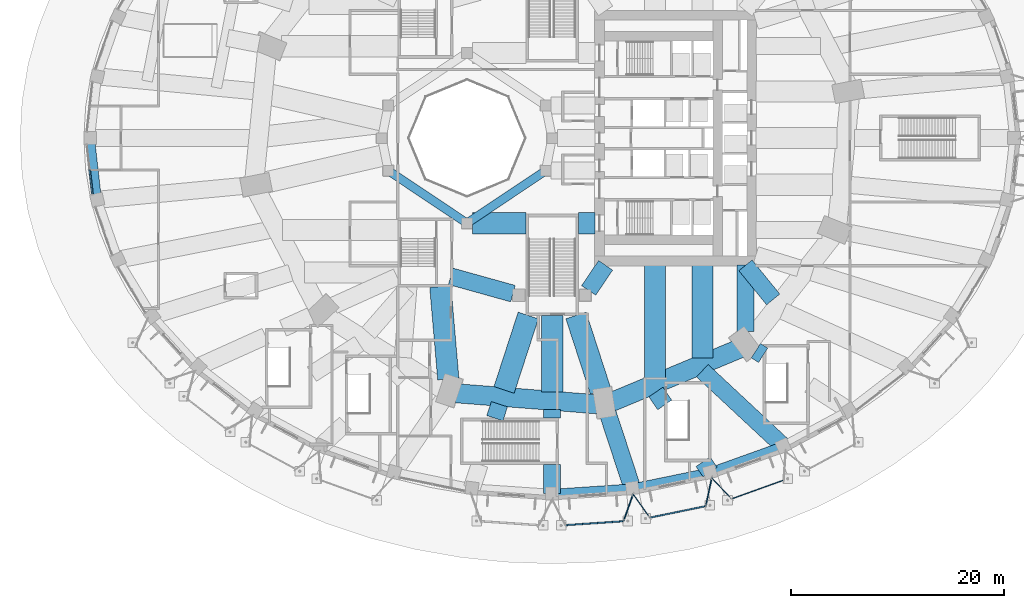
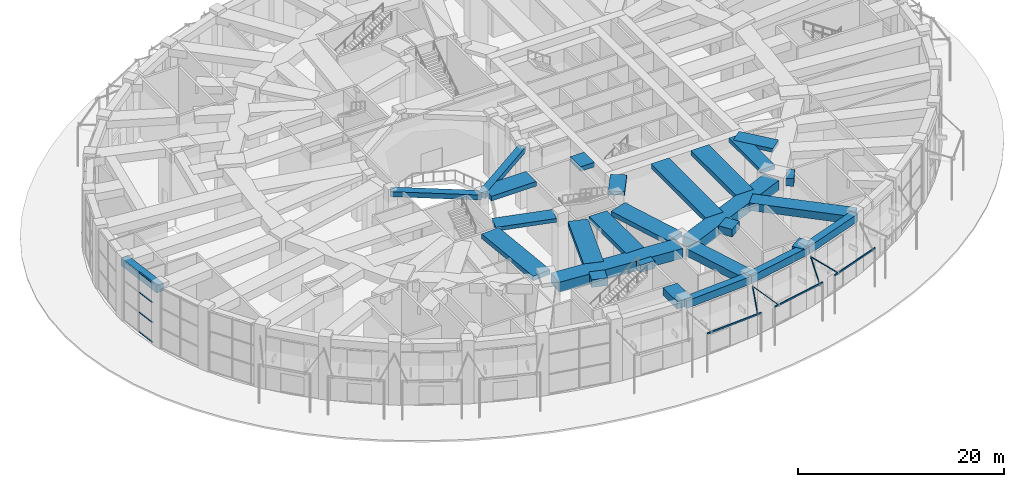
# One storey, part 24 of 60: 31 beams, 8 members, 1 element without a shape of its own.
"""IFC4 building model written with IfcOpenShell, lengths in metres."""

from ifc_helpers import new_model, si_unit, direction, frame, origin, origin_2d, place, context, subcontext, project, spatial, rectangle, hollow_rectangle, hollow_circle, extrude, material, material_profile, profile_set, type_object, element, aggregate, save


model = new_model("IFC4")

# Units and contexts
model_context = context("Model", 3, precision=1e-05, world=origin(), true_north=direction((0.0, 1.0)))
body_context = subcontext(model_context, "Body", "Model", "MODEL_VIEW")
ifc_project = project(units=[si_unit("LENGTHUNIT", "METRE"), si_unit("AREAUNIT", "SQUARE_METRE"), si_unit("VOLUMEUNIT", "CUBIC_METRE"), si_unit("PLANEANGLEUNIT", "RADIAN"), si_unit("MASSUNIT", "GRAM", prefix="KILO")], contexts=[model_context])

# Site, building, storey
site_placement = place(None, origin())
site = spatial("IfcSite", under=ifc_project, at=site_placement, CompositionType="ELEMENT")
building_placement = place(site_placement, origin())
building = spatial("IfcBuilding", under=site, at=building_placement, Name="Taillehof Tower", CompositionType="ELEMENT")
storey_placement = place(building_placement, origin())
storey = spatial("IfcBuildingStorey", under=building, at=storey_placement, Name="L00", CompositionType="ELEMENT", Elevation=0.0)

# Beams
ifc_material_1 = material(Name="Concrete C50/60", Category="concrete")
ifc_material_profile_1 = material_profile(ifc_material_1, rectangle(XDim=0.800048828125, YDim=0.60009765625, at=origin_2d()), Name="RC 800x600")
ifc_profile_set_1 = profile_set([ifc_material_profile_1], Name="Concrete C50/60")
beam_type_1 = type_object("IfcBeamType", Name="Atrium ring beam C50/60 800x600", PredefinedType="BEAM", material=ifc_profile_set_1)
for number, where, z_axis, x_axis, name in (
    (1, (-15.39111328125, -3.0615234375, 6.7900390625), (0.831475195687, -0.555561876804, 0.0), (0.555561876804, 0.831475195687, 0.0), "Atrium ring beam AB06"),
    (2, (-8.0, -8.0, 6.7900390625), (0.831475195687, 0.555561876804, 0.0), (-0.555561876804, 0.831475195687, 0.0), "Atrium ring beam AB07"),
):
    element("IfcBeam", number, at=place(storey_placement, frame(where, z_axis=z_axis, x_axis=x_axis)), inside=storey, type_object=beam_type_1, Name=name, PredefinedType="BEAM", context=body_context, shape_type="SweptSolid", body=[
        extrude(rectangle(XDim=0.800048828125, YDim=0.60009765625, at=origin_2d()), origin(), (0.0, 0.0, 1.0), 8.88916015625),
    ])
ifc_material_2 = material(Name="Steel S460M", Category="steel")
ifc_material_profile_2 = material_profile(ifc_material_2, hollow_rectangle(XDim=0.10009765625, YDim=0.199951171875, WallThickness=0.008056640625, InnerFilletRadius=0.008056640625, OuterFilletRadius=0.011962890625, at=origin_2d()), Name="RHS 200x100x8")
ifc_profile_set_2 = profile_set([ifc_material_profile_2], Name="Steel S460M")
beam_type_2 = type_object("IfcBeamType", Name="Canopy edge beam RHS 200x100x8", PredefinedType="BEAM", material=ifc_profile_set_2)
beam_1_placement = place(storey_placement, frame((0.827880859375, -36.40087890625, 4.550048828125), z_axis=(0.997740558403, 0.067184656867, 0.0), x_axis=(-0.067184656867, 0.997740558403, 0.0)))
element("IfcBeam", 3, at=beam_1_placement, inside=storey, type_object=beam_type_2, Name="Canopy edge beam E6", PredefinedType="BEAM", context=body_context, shape_type="SweptSolid", body=[
    extrude(hollow_rectangle(XDim=0.10009765625, YDim=0.199951171875, WallThickness=0.008056640625, InnerFilletRadius=0.008056640625, OuterFilletRadius=0.011962890625, at=origin_2d()), origin(), (0.0, 0.0, 1.0), 6.3046875),
])
beam_2_placement = place(storey_placement, frame((8.763671875, -35.75341796875, 4.550048828125), z_axis=(0.979385767949, 0.201998805786, 0.0), x_axis=(-0.201998805786, 0.979385767949, 0.0)))
element("IfcBeam", 4, at=beam_2_placement, inside=storey, type_object=beam_type_2, Name="Canopy edge beam E7", PredefinedType="BEAM", context=body_context, shape_type="SweptSolid", body=[
    extrude(hollow_rectangle(XDim=0.10009765625, YDim=0.199951171875, WallThickness=0.008056640625, InnerFilletRadius=0.008056640625, OuterFilletRadius=0.011962890625, at=origin_2d()), origin(), (0.0, 0.0, 1.0), 6.213623046875),
])
beam_3_placement = place(storey_placement, frame((16.46044921875, -34.04541015625, 4.550048828125), z_axis=(0.941224990618, 0.33778027923, 0.0), x_axis=(-0.33778027923, 0.941224990618, 0.0)))
element("IfcBeam", 5, at=beam_3_placement, inside=storey, type_object=beam_type_2, Name="Canopy edge beam E8", PredefinedType="BEAM", context=body_context, shape_type="SweptSolid", body=[
    extrude(hollow_rectangle(XDim=0.10009765625, YDim=0.199951171875, WallThickness=0.008056640625, InnerFilletRadius=0.008056640625, OuterFilletRadius=0.011962890625, at=origin_2d()), origin(), (0.0, 0.0, 1.0), 6.03955078125),
])

# Members
ifc_material_3 = material(Name="Steel S460M", Category="steel")
ifc_material_profile_3 = material_profile(ifc_material_3, hollow_circle(Radius=0.04443359375, WallThickness=0.0048828125, at=origin_2d()), Name="CHS 89x5")
ifc_profile_set_3 = profile_set([ifc_material_profile_3], Name="Steel S460M")
member_type_1 = type_object("IfcMemberType", Name="Canopy tie CHS 89x5", PredefinedType="BRACE", material=ifc_profile_set_3)
for number, where, z_axis, x_axis, name in (
    (6, (6.699462890625, -36.00537109375, 4.639892578125), (0.30166245095, 0.841076499631, 0.448987847781), (-0.941288035455, 0.337604553153, 0.0), "Canopy tie E6"),
    (7, (9.175048828125, -35.66845703125, 4.639892578125), (-0.515537199417, 0.729827243696, 0.448969475997), (-0.816775353421, -0.576955823303, 0.0), "Canopy tie E7"),
):
    element("IfcMember", number, at=place(storey_placement, frame(where, z_axis=z_axis, x_axis=x_axis)), inside=storey, type_object=member_type_1, Name=name, PredefinedType="BRACE", context=body_context, shape_type="SweptSolid", body=[
        extrude(hollow_circle(Radius=0.04443359375, WallThickness=0.0048828125, at=origin_2d()), origin(), (0.0, 0.0, 1.0), 3.029296875),
    ])
member_1_placement = place(storey_placement, frame((14.43798828125, -34.5830078125, 4.639892578125), z_axis=(0.18485622128, 0.874239383027, 0.44892502561), x_axis=(-0.978367607855, 0.206873932383, 0.0)))
element("IfcMember", 8, at=member_1_placement, inside=storey, type_object=member_type_1, Name="Canopy tie E7", PredefinedType="BRACE", context=body_context, shape_type="SweptSolid", body=[
    extrude(hollow_circle(Radius=0.04443359375, WallThickness=0.0048828125, at=origin_2d()), origin(), (0.0, 0.0, 1.0), 3.02978515625),
])
member_2_placement = place(storey_placement, frame((16.855712890625, -33.903564453125, 4.639892578125), z_axis=(-0.61316407558, 0.64999098878, 0.448933771199), x_axis=(-0.727413186974, -0.686199719773, 0.0)))
element("IfcMember", 9, at=member_2_placement, inside=storey, type_object=member_type_1, Name="Canopy tie E8", PredefinedType="BRACE", context=body_context, shape_type="SweptSolid", body=[
    extrude(hollow_circle(Radius=0.04443359375, WallThickness=0.0048828125, at=origin_2d()), origin(), (0.0, 0.0, 1.0), 3.029541015625),
])

# Beams
ifc_material_4 = material(Name="Concrete C50/60", Category="concrete")
ifc_material_profile_4 = material_profile(ifc_material_4, rectangle(XDim=0.800048828125, YDim=0.89990234375, at=origin_2d()), Name="RC 800x900")
ifc_profile_set_4 = profile_set([ifc_material_profile_4], Name="Concrete C50/60")
beam_type_3 = type_object("IfcBeamType", Name="Podium edge beam C50/60 800x900", PredefinedType="BEAM", material=ifc_profile_set_4)
beam_4_placement = place(storey_placement, frame((-43.39990234375, 0.0, 6.639892578125), z_axis=(0.112928457179, -0.993603121754, 0.0), x_axis=(0.993603121754, 0.112928457179, 0.0)))
element("IfcBeam", 10, at=beam_4_placement, inside=storey, type_object=beam_type_3, Name="Podium edge beam PB19", PredefinedType="BEAM", context=body_context, shape_type="SweptSolid", body=[
    extrude(rectangle(XDim=0.800048828125, YDim=0.89990234375, at=origin_2d()), origin(), (0.0, 0.0, 1.0), 5.837158203125),
])
beam_5_placement = place(storey_placement, frame((0.0, -33.39990234375, 6.639892578125), z_axis=(0.997741900844, 0.067164717676, 0.0), x_axis=(-0.067164717676, 0.997741900844, 0.0)))
element("IfcBeam", 11, at=beam_5_placement, inside=storey, type_object=beam_type_3, Name="Podium edge beam PB28", PredefinedType="BEAM", context=body_context, shape_type="SweptSolid", body=[
    extrude(rectangle(XDim=0.800048828125, YDim=0.89990234375, at=origin_2d()), origin(), (0.0, 0.0, 1.0), 7.553466796875),
])
beam_6_placement = place(storey_placement, frame((7.536376953125, -32.892578125, 6.639892578125), z_axis=(0.979394077534, 0.201958512797, 0.0), x_axis=(-0.201958512797, 0.979394077534, 0.0)))
element("IfcBeam", 12, at=beam_6_placement, inside=storey, type_object=beam_type_3, Name="Podium edge beam PB29", PredefinedType="BEAM", context=body_context, shape_type="SweptSolid", body=[
    extrude(rectangle(XDim=0.800048828125, YDim=0.89990234375, at=origin_2d()), origin(), (0.0, 0.0, 1.0), 7.461181640625),
])
beam_7_placement = place(storey_placement, frame((14.84375, -31.3857421875, 6.639892578125), z_axis=(0.941227460002, 0.337773398209, 0.0), x_axis=(-0.337773398209, 0.941227460002, 0.0)))
element("IfcBeam", 13, at=beam_7_placement, inside=storey, type_object=beam_type_3, Name="Podium edge beam PB30", PredefinedType="BEAM", context=body_context, shape_type="SweptSolid", body=[
    extrude(rectangle(XDim=0.800048828125, YDim=0.89990234375, at=origin_2d()), origin(), (0.0, 0.0, 1.0), 7.284423828125),
])
ifc_material_5 = material(Name="Concrete C50/60", Category="concrete")
ifc_material_profile_5 = material_profile(ifc_material_5, rectangle(XDim=1.60009765625, YDim=0.89990234375, at=origin_2d()), Name="RC 1600x900")
ifc_profile_set_5 = profile_set([ifc_material_profile_5], Name="Concrete C50/60")
beam_type_4 = type_object("IfcBeamType", Name="Podium radial beam C50/60 1600x900", PredefinedType="BEAM", material=ifc_profile_set_5)
beam_8_placement = place(storey_placement, frame((-5.383544921875, -26.324951171875, 6.639892578125), z_axis=(0.311376491629, 0.950286630686, 0.0), x_axis=(-0.950286630686, 0.311376491629, 0.0)))
element("IfcBeam", 14, at=beam_8_placement, inside=storey, type_object=beam_type_4, Name="Podium radial beam PR27", PredefinedType="BEAM", context=body_context, shape_type="SweptSolid", body=[
    extrude(rectangle(XDim=1.60009765625, YDim=0.89990234375, at=origin_2d()), origin(), (0.0, 0.0, 1.0), 1.39013671875),
])
beam_9_placement = place(storey_placement, frame((0.0, -33.39990234375, 6.639892578125), z_axis=(0.0, 1.0, 0.0), x_axis=(-1.0, 0.0, 0.0)))
element("IfcBeam", 15, at=beam_9_placement, inside=storey, type_object=beam_type_4, Name="Podium radial beam PR28", PredefinedType="BEAM", context=body_context, shape_type="SweptSolid", body=[
    extrude(rectangle(XDim=1.60009765625, YDim=0.89990234375, at=origin_2d()), origin(), (0.0, 0.0, 1.0), 2.724853515625),
])
beam_10_placement = place(storey_placement, frame((0.0, -26.324951171875, 6.639892578125), z_axis=(0.0, 1.0, 0.0), x_axis=(-1.0, 0.0, 0.0)))
element("IfcBeam", 16, at=beam_10_placement, inside=storey, type_object=beam_type_4, Name="Podium radial beam PR28", PredefinedType="BEAM", context=body_context, shape_type="SweptSolid", body=[
    extrude(rectangle(XDim=1.60009765625, YDim=0.89990234375, at=origin_2d()), origin(), (0.0, 0.0, 1.0), 0.80322265625),
])
beam_11_placement = place(storey_placement, frame((7.536376953125, -32.892578125, 6.639892578125), z_axis=(-0.311469218388, 0.950256242283, 0.0), x_axis=(-0.950256242283, -0.311469218388, 0.0)))
element("IfcBeam", 17, at=beam_11_placement, inside=storey, type_object=beam_type_4, Name="Podium radial beam PR29", PredefinedType="BEAM", context=body_context, shape_type="SweptSolid", body=[
    extrude(rectangle(XDim=1.60009765625, YDim=0.89990234375, at=origin_2d()), origin(), (0.0, 0.0, 1.0), 7.40966796875),
])
beam_12_placement = place(storey_placement, frame((14.84375, -31.3857421875, 6.639892578125), z_axis=(-0.560359806651, 0.828249290425, 0.0), x_axis=(-0.828249290425, -0.560359806651, 0.0)))
element("IfcBeam", 18, at=beam_12_placement, inside=storey, type_object=beam_type_4, Name="Podium radial beam PR30", PredefinedType="BEAM", context=body_context, shape_type="SweptSolid", body=[
    extrude(rectangle(XDim=1.60009765625, YDim=0.89990234375, at=origin_2d()), origin(), (0.0, 0.0, 1.0), 1.171875),
])
beam_13_placement = place(storey_placement, frame((10.574951171875, -25.07666015625, 6.639892578125), z_axis=(-0.560366405142, 0.828244826116, 0.0), x_axis=(-0.828244826116, -0.560366405142, 0.0)))
element("IfcBeam", 19, at=beam_13_placement, inside=storey, type_object=beam_type_4, Name="Podium radial beam PR30", PredefinedType="BEAM", context=body_context, shape_type="SweptSolid", body=[
    extrude(rectangle(XDim=1.60009765625, YDim=0.89990234375, at=origin_2d()), origin(), (0.0, 0.0, 1.0), 1.46826171875),
])
beam_14_placement = place(storey_placement, frame((21.699951171875, -28.92529296875, 6.639892578125), z_axis=(-0.73163305696, 0.681698665074, 0.0), x_axis=(-0.681698665074, -0.73163305696, 0.0)))
element("IfcBeam", 20, at=beam_14_placement, inside=storey, type_object=beam_type_4, Name="Podium radial beam PR31", PredefinedType="BEAM", context=body_context, shape_type="SweptSolid", body=[
    extrude(rectangle(XDim=1.60009765625, YDim=0.89990234375, at=origin_2d()), origin(), (0.0, 0.0, 1.0), 10.365234375),
])
beam_15_placement = place(storey_placement, frame((19.824951171875, -20.410888671875, 6.639892578125), z_axis=(-0.841769534684, 0.539837059193, 0.0), x_axis=(-0.539837059193, -0.841769534684, 0.0)))
element("IfcBeam", 21, at=beam_15_placement, inside=storey, type_object=beam_type_4, Name="Podium radial beam PR32", PredefinedType="BEAM", context=body_context, shape_type="SweptSolid", body=[
    extrude(rectangle(XDim=1.60009765625, YDim=0.89990234375, at=origin_2d()), origin(), (0.0, 0.0, 1.0), 0.804443359375),
])
ifc_material_6 = material(Name="Concrete C50/60", Category="concrete")
ifc_material_profile_6 = material_profile(ifc_material_6, rectangle(XDim=1.60009765625, YDim=0.449951171875, at=origin_2d()), Name="RC 1600x450")
ifc_profile_set_6 = profile_set([ifc_material_profile_6], Name="Concrete C50/60")
beam_type_5 = type_object("IfcBeamType", Name="Radial band beam C50/60 1600x450", PredefinedType="BEAM", material=ifc_profile_set_6)
beam_16_placement = place(storey_placement, frame((18.15869140625, -18.1953125, 6.864990234375), z_axis=(0.0, 1.0, 0.0), x_axis=(-1.0, 0.0, 0.0)))
element("IfcBeam", 22, at=beam_16_placement, inside=storey, type_object=beam_type_5, Name="Radial band beam RB32", PredefinedType="BEAM", context=body_context, shape_type="SweptSolid", body=[
    extrude(rectangle(XDim=1.60009765625, YDim=0.449951171875, at=origin_2d()), origin(), (0.0, 0.0, 1.0), 6.245361328125),
])
beam_17_placement = place(storey_placement, frame((20.771484375, -15.16162109375, 6.864990234375), z_axis=(-0.63098244055, 0.775797112471, 0.0), x_axis=(-0.775797112471, -0.63098244055, 0.0)))
element("IfcBeam", 23, at=beam_17_placement, inside=storey, type_object=beam_type_5, Name="Radial band beam RB33", PredefinedType="BEAM", context=body_context, shape_type="SweptSolid", body=[
    extrude(rectangle(XDim=1.60009765625, YDim=0.449951171875, at=origin_2d()), origin(), (0.0, 0.0, 1.0), 4.125244140625),
])
beam_18_placement = place(storey_placement, frame((-3.6796875, -14.6181640625, 6.864990234375), z_axis=(-0.963453939049, 0.267874051248, 0.0), x_axis=(-0.267874051248, -0.963453939049, 0.0)))
element("IfcBeam", 24, at=beam_18_placement, inside=storey, type_object=beam_type_5, Name="Inner band beam IB214", PredefinedType="BEAM", context=body_context, shape_type="SweptSolid", body=[
    extrude(rectangle(XDim=1.60009765625, YDim=0.449951171875, at=origin_2d()), origin(), (0.0, 0.0, 1.0), 6.07177734375),
])
beam_19_placement = place(storey_placement, frame((3.433837890625, -14.31640625, 6.864990234375), z_axis=(0.560112043398, 0.828416862962, 0.0), x_axis=(-0.828416862962, 0.560112043398, 0.0)))
element("IfcBeam", 25, at=beam_19_placement, inside=storey, type_object=beam_type_5, Name="Inner band beam IB215", PredefinedType="BEAM", context=body_context, shape_type="SweptSolid", body=[
    extrude(rectangle(XDim=1.60009765625, YDim=0.449951171875, at=origin_2d()), origin(), (0.0, 0.0, 1.0), 2.84619140625),
])
ifc_material_7 = material(Name="Concrete C50/60", Category="concrete")
ifc_material_profile_7 = material_profile(ifc_material_7, rectangle(XDim=2.0, YDim=0.550048828125, at=origin_2d()), Name="RC 2000x550")
ifc_profile_set_7 = profile_set([ifc_material_profile_7], Name="Concrete C50/60")
beam_type_6 = type_object("IfcBeamType", Name="Radial band beam C50/60 2000x550", PredefinedType="BEAM", material=ifc_profile_set_7)
beam_20_placement = place(storey_placement, frame((-9.755859375, -22.637451171875, 6.81494140625), z_axis=(-0.085846652558, 0.996308362027, 0.0), x_axis=(-0.996308362027, -0.085846652558, 0.0)))
element("IfcBeam", 26, at=beam_20_placement, inside=storey, type_object=beam_type_6, Name="Radial band beam RB26", PredefinedType="BEAM", context=body_context, shape_type="SweptSolid", body=[
    extrude(rectangle(XDim=2.0, YDim=0.550048828125, at=origin_2d()), origin(), (0.0, 0.0, 1.0), 8.719482421875),
])
beam_21_placement = place(storey_placement, frame((-4.515380859375, -23.665771484375, 6.81494140625), z_axis=(0.308999765566, 0.951062114102, 0.0), x_axis=(-0.951062114102, 0.308999765566, 0.0)))
element("IfcBeam", 27, at=beam_21_placement, inside=storey, type_object=beam_type_6, Name="Radial band beam RB27", PredefinedType="BEAM", context=body_context, shape_type="SweptSolid", body=[
    extrude(rectangle(XDim=2.0, YDim=0.550048828125, at=origin_2d()), origin(), (0.0, 0.0, 1.0), 7.355712890625),
])
beam_22_placement = place(storey_placement, frame((0.0, -23.864501953125, 6.81494140625), z_axis=(0.0, 1.0, 0.0), x_axis=(-1.0, 0.0, 0.0)))
element("IfcBeam", 28, at=beam_22_placement, inside=storey, type_object=beam_type_6, Name="Radial band beam RB28", PredefinedType="BEAM", context=body_context, shape_type="SweptSolid", body=[
    extrude(rectangle(XDim=2.0, YDim=0.550048828125, at=origin_2d()), origin(), (0.0, 0.0, 1.0), 7.194580078125),
])
beam_23_placement = place(storey_placement, frame((4.5439453125, -23.75341796875, 6.81494140625), z_axis=(-0.309010469582, 0.951058636304, 0.0), x_axis=(-0.951058636304, -0.309010469582, 0.0)))
element("IfcBeam", 29, at=beam_23_placement, inside=storey, type_object=beam_type_6, Name="Radial band beam RB29", PredefinedType="BEAM", context=body_context, shape_type="SweptSolid", body=[
    extrude(rectangle(XDim=2.0, YDim=0.550048828125, at=origin_2d()), origin(), (0.0, 0.0, 1.0), 7.447998046875),
])
beam_24_placement = place(storey_placement, frame((9.662109375, -22.5458984375, 6.81494140625), z_axis=(0.0, 1.0, 0.0), x_axis=(-1.0, 0.0, 0.0)))
element("IfcBeam", 30, at=beam_24_placement, inside=storey, type_object=beam_type_6, Name="Radial band beam RB30", PredefinedType="BEAM", context=body_context, shape_type="SweptSolid", body=[
    extrude(rectangle(XDim=2.0, YDim=0.550048828125, at=origin_2d()), origin(), (0.0, 0.0, 1.0), 10.595947265625),
])
beam_25_placement = place(storey_placement, frame((14.125, -20.685791015625, 6.81494140625), z_axis=(0.0, 1.0, 0.0), x_axis=(-1.0, 0.0, 0.0)))
element("IfcBeam", 31, at=beam_25_placement, inside=storey, type_object=beam_type_6, Name="Radial band beam RB31", PredefinedType="BEAM", context=body_context, shape_type="SweptSolid", body=[
    extrude(rectangle(XDim=2.0, YDim=0.550048828125, at=origin_2d()), origin(), (0.0, 0.0, 1.0), 8.73583984375),
])
beam_26_placement = place(storey_placement, frame((-7.5, -8.0, 6.81494140625), z_axis=(1.0, 0.0, 0.0), x_axis=(0.0, 1.0, 0.0)))
element("IfcBeam", 32, at=beam_26_placement, inside=storey, type_object=beam_type_6, Name="Inner band beam IB113", PredefinedType="BEAM", context=body_context, shape_type="SweptSolid", body=[
    extrude(rectangle(XDim=2.0, YDim=0.550048828125, at=origin_2d()), origin(), (0.0, 0.0, 1.0), 5.02490234375),
])
beam_27_placement = place(storey_placement, frame((2.47509765625, -8.0, 6.81494140625), z_axis=(1.0, 0.0, 0.0), x_axis=(0.0, 1.0, 0.0)))
element("IfcBeam", 33, at=beam_27_placement, inside=storey, type_object=beam_type_6, Name="Inner band beam IB113", PredefinedType="BEAM", context=body_context, shape_type="SweptSolid", body=[
    extrude(rectangle(XDim=2.0, YDim=0.550048828125, at=origin_2d()), origin(), (0.0, 0.0, 1.0), 1.574951171875),
])
ifc_material_8 = material(Name="Concrete C50/60", Category="concrete")
ifc_material_profile_8 = material_profile(ifc_material_8, rectangle(XDim=1.800048828125, YDim=1.14990234375, at=origin_2d()), Name="RC 1800x1150")
ifc_profile_set_8 = profile_set([ifc_material_profile_8], Name="Concrete C50/60")
beam_type_7 = type_object("IfcBeamType", Name="Ring floor beam C50/60 1800x1150", PredefinedType="BEAM", material=ifc_profile_set_8)
beam_28_placement = place(storey_placement, frame((-9.024169921875, -23.977783203125, 6.514892578125), z_axis=(0.996957372869, -0.0779486798, 0.0), x_axis=(0.0779486798, 0.996957372869, 0.0)))
element("IfcBeam", 34, at=beam_28_placement, inside=storey, type_object=beam_type_7, Name="Ring floor beam RG09", PredefinedType="BEAM", context=body_context, shape_type="SweptSolid", body=[
    extrude(rectangle(XDim=1.800048828125, YDim=1.14990234375, at=origin_2d()), origin(), (0.0, 0.0, 1.0), 13.298828125),
])
beam_29_placement = place(storey_placement, frame((5.588134765625, -24.798583984375, 6.514892578125), z_axis=(0.923036542488, 0.384712283703, 0.0), x_axis=(-0.384712283703, 0.923036542488, 0.0)))
element("IfcBeam", 35, at=beam_29_placement, inside=storey, type_object=beam_type_7, Name="Ring floor beam RG10", PredefinedType="BEAM", context=body_context, shape_type="SweptSolid", body=[
    extrude(rectangle(XDim=1.800048828125, YDim=1.14990234375, at=origin_2d()), origin(), (0.0, 0.0, 1.0), 13.0595703125),
])

# Curtain wall, members
ifc_material_9 = material(Name="Aluminium curtain wall with Clear laminated safety glass", Category="aluminium")
curtain_wall_type = type_object("IfcCurtainWallType", Name="Station storefront curtain wall", PredefinedType="USERDEFINED", material=ifc_material_9)
curtain_wall_placement = place(storey_placement, origin())
curtain_wall = element("IfcCurtainWall", 36, at=curtain_wall_placement, inside=storey, type_object=curtain_wall_type, Name="Station storefront L00 bay 19", ObjectType="STOREFRONT", PredefinedType="USERDEFINED")
ifc_material_10 = material(Name="Aluminium transom", Category="aluminium")
ifc_material_profile_9 = material_profile(ifc_material_10, rectangle(XDim=0.14990234375, YDim=0.080078125, at=origin_2d()), Name="AL 150x80")
ifc_profile_set_9 = profile_set([ifc_material_profile_9], Name="Aluminium transom")
member_type_2 = type_object("IfcMemberType", Name="Station storefront transom 150x80", PredefinedType="USERDEFINED", material=ifc_profile_set_9)
member_3_placement = place(storey_placement, frame((-43.45947265625, -2.984130859375, 0.0400390625), z_axis=(0.112851755768, -0.993611836292, 0.0), x_axis=(0.993611836292, 0.112851755768, 0.0)))
member_3 = element("IfcMember", 37, at=member_3_placement, type_object=member_type_2, Name="CT119 transom 2.1", ObjectType="TRANSOM", PredefinedType="USERDEFINED", context=body_context, shape_type="SweptSolid", body=[
    extrude(rectangle(XDim=0.14990234375, YDim=0.080078125, at=origin_2d()), origin(), (0.0, 0.0, 1.0), 2.269287109375),
])
member_4_placement = place(storey_placement, frame((-43.45947265625, -2.984130859375, 2.36328125), z_axis=(0.112851755768, -0.993611836292, 0.0), x_axis=(0.993611836292, 0.112851755768, 0.0)))
member_4 = element("IfcMember", 38, at=member_4_placement, type_object=member_type_2, Name="CT119 transom 2.2", ObjectType="TRANSOM", PredefinedType="USERDEFINED", context=body_context, shape_type="SweptSolid", body=[
    extrude(rectangle(XDim=0.14990234375, YDim=0.080078125, at=origin_2d()), origin(), (0.0, 0.0, 1.0), 2.269287109375),
])
member_5_placement = place(storey_placement, frame((-43.45947265625, -2.984130859375, 4.726806640625), z_axis=(0.112851755768, -0.993611836292, 0.0), x_axis=(0.993611836292, 0.112851755768, 0.0)))
member_5 = element("IfcMember", 39, at=member_5_placement, type_object=member_type_2, Name="CT119 transom 2.3", ObjectType="TRANSOM", PredefinedType="USERDEFINED", context=body_context, shape_type="SweptSolid", body=[
    extrude(rectangle(XDim=0.14990234375, YDim=0.080078125, at=origin_2d()), origin(), (0.0, 0.0, 1.0), 2.269287109375),
])
member_6_placement = place(storey_placement, frame((-43.45947265625, -2.984130859375, 7.050048828125), z_axis=(0.112851755768, -0.993611836292, 0.0), x_axis=(0.993611836292, 0.112851755768, 0.0)))
member_6 = element("IfcMember", 40, at=member_6_placement, type_object=member_type_2, Name="CT119 transom 2.4", ObjectType="TRANSOM", PredefinedType="USERDEFINED", context=body_context, shape_type="SweptSolid", body=[
    extrude(rectangle(XDim=0.14990234375, YDim=0.080078125, at=origin_2d()), origin(), (0.0, 0.0, 1.0), 2.269287109375),
])
aggregate(curtain_wall, [member_3, member_4, member_5, member_6])

save(model, "model.ifc")
